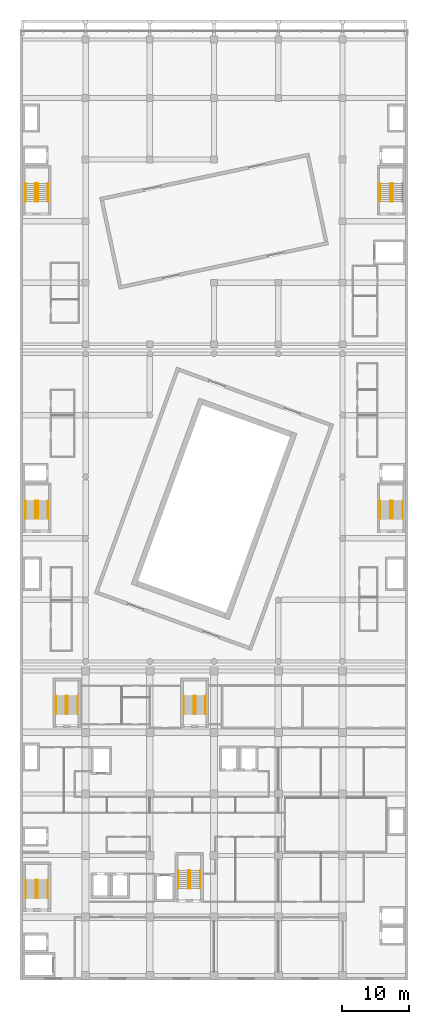
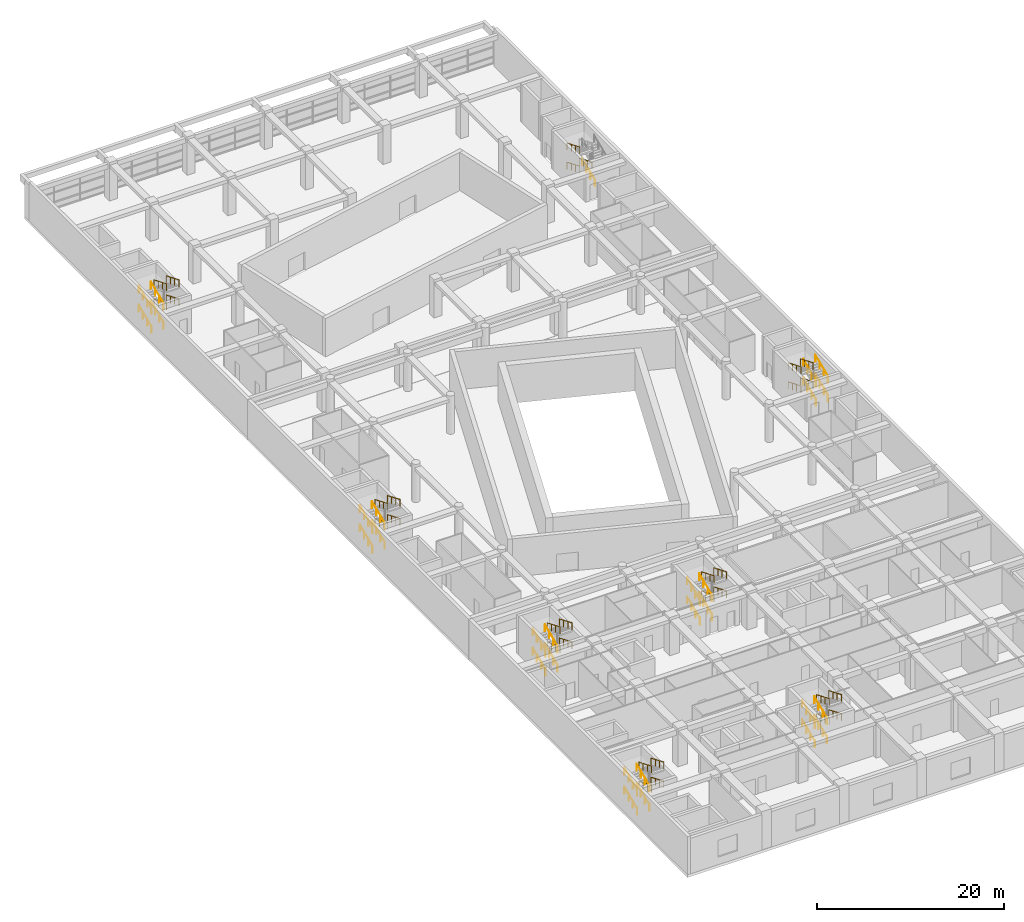
# One storey, part 17 of 31: 60 railings.
"""IFC4 building model written with IfcOpenShell, lengths in metres."""

from ifc_helpers import new_model, si_unit, direction, frame, origin, origin_2d, place, context, subcontext, project, spatial, circle, extrude, material, type_object, element, save


model = new_model("IFC4")

# Units and contexts
model_context = context("Model", 3, precision=1e-05, world=origin(), true_north=direction((0.0, 1.0)))
body_context = subcontext(model_context, "Body", "Model", "MODEL_VIEW")
ifc_project = project(units=[si_unit("LENGTHUNIT", "METRE"), si_unit("AREAUNIT", "SQUARE_METRE"), si_unit("VOLUMEUNIT", "CUBIC_METRE"), si_unit("PLANEANGLEUNIT", "RADIAN"), si_unit("MASSUNIT", "GRAM", prefix="KILO")], contexts=[model_context])

# Site, building, storey
site_placement = place(None, origin())
site = spatial("IfcSite", under=ifc_project, at=site_placement, CompositionType="ELEMENT")
building_placement = place(site_placement, origin())
building = spatial("IfcBuilding", under=site, at=building_placement, Name="Nzadi Deep Aquarium and Research Tower", CompositionType="ELEMENT")
storey_placement = place(building_placement, frame((0.0, 0.0, 21.699951171875)))
storey = spatial("IfcBuildingStorey", under=building, at=storey_placement, Name="L03", CompositionType="ELEMENT", Elevation=21.699951171875)

# Railings
ifc_material = material(Name="Stainless steel 1.4301", Category="steel")
railing_type = type_object("IfcRailingType", Name="HANDRAIL 900", PredefinedType="HANDRAIL", material=ifc_material)
for number, where, name in (
    (1, (0.659912109375, 12.070068359375, 0.125), "HR-ST-Z1-SW-L03-F1"),
    (2, (2.1650390625, 12.070068359375, 0.125), "HR-ST-Z1-SW-L03-F1W"),
):
    element("IfcRailing", number, at=place(storey_placement, frame(where)), inside=storey, type_object=railing_type, Name=name, PredefinedType="HANDRAIL", context=body_context, shape_type="SweptSolid", body=[
        extrude(circle(Radius=0.02392578125, at=origin_2d()), frame((0.0, 0.0, 0.8759765625), z_axis=(0.0, 0.923074453586, 0.384621311341), x_axis=(-1.0, 0.0, 0.0)), (0.0, 0.0, 1.0), 2.925048828125),
        extrude(circle(Radius=0.02099609375, at=origin_2d()), origin(), (0.0, 0.0, 1.0), 0.851806640625),
        extrude(circle(Radius=0.02099609375, at=origin_2d()), frame((0.0, 0.89990234375, 0.375)), (0.0, 0.0, 1.0), 0.851806640625),
        extrude(circle(Radius=0.02099609375, at=origin_2d()), frame((0.0, 1.800048828125, 0.75)), (0.0, 0.0, 1.0), 0.851806640625),
        extrude(circle(Radius=0.02099609375, at=origin_2d()), frame((0.0, 2.699951171875, 1.125)), (0.0, 0.0, 1.0), 0.851806640625),
    ])
for number, where, name in (
    (3, (3.93994140625, 14.77001953125, 1.375), "HR-ST-Z1-SW-L03-F2"),
    (4, (2.43505859375, 14.77001953125, 1.375), "HR-ST-Z1-SW-L03-F2W"),
):
    element("IfcRailing", number, at=place(storey_placement, frame(where)), inside=storey, type_object=railing_type, Name=name, PredefinedType="HANDRAIL", context=body_context, shape_type="SweptSolid", body=[
        extrude(circle(Radius=0.02392578125, at=origin_2d()), frame((0.0, 0.0, 0.8759765625), z_axis=(0.0, -0.923074453586, 0.384621311341), x_axis=(1.0, 0.0, 0.0)), (0.0, 0.0, 1.0), 2.925048828125),
        extrude(circle(Radius=0.02099609375, at=origin_2d()), origin(), (0.0, 0.0, 1.0), 0.851806640625),
        extrude(circle(Radius=0.02099609375, at=origin_2d()), frame((0.0, -0.89990234375, 0.375)), (0.0, 0.0, 1.0), 0.851806640625),
        extrude(circle(Radius=0.02099609375, at=origin_2d()), frame((0.0, -1.800048828125, 0.75)), (0.0, 0.0, 1.0), 0.851806640625),
        extrude(circle(Radius=0.02099609375, at=origin_2d()), frame((0.0, -2.699951171875, 1.125)), (0.0, 0.0, 1.0), 0.851806640625),
    ])
for number, where, name in (
    (5, (0.659912109375, 12.070068359375, 2.625), "HR-ST-Z1-SW-L03-F3"),
    (6, (2.1650390625, 12.070068359375, 2.625), "HR-ST-Z1-SW-L03-F3W"),
):
    element("IfcRailing", number, at=place(storey_placement, frame(where)), inside=storey, type_object=railing_type, Name=name, PredefinedType="HANDRAIL", context=body_context, shape_type="SweptSolid", body=[
        extrude(circle(Radius=0.02392578125, at=origin_2d()), frame((0.0, 0.0, 0.8759765625), z_axis=(0.0, 0.923074453586, 0.384621311341), x_axis=(-1.0, 0.0, 0.0)), (0.0, 0.0, 1.0), 2.925048828125),
        extrude(circle(Radius=0.02099609375, at=origin_2d()), origin(), (0.0, 0.0, 1.0), 0.851806640625),
        extrude(circle(Radius=0.02099609375, at=origin_2d()), frame((0.0, 0.89990234375, 0.375)), (0.0, 0.0, 1.0), 0.851806640625),
        extrude(circle(Radius=0.02099609375, at=origin_2d()), frame((0.0, 1.800048828125, 0.75)), (0.0, 0.0, 1.0), 0.851806640625),
        extrude(circle(Radius=0.02099609375, at=origin_2d()), frame((0.0, 2.699951171875, 1.125)), (0.0, 0.0, 1.0), 0.851806640625),
    ])
for number, where, name in (
    (7, (3.93994140625, 14.77001953125, 3.875), "HR-ST-Z1-SW-L03-F4"),
    (8, (2.43505859375, 14.77001953125, 3.875), "HR-ST-Z1-SW-L03-F4W"),
):
    element("IfcRailing", number, at=place(storey_placement, frame(where)), inside=storey, type_object=railing_type, Name=name, PredefinedType="HANDRAIL", context=body_context, shape_type="SweptSolid", body=[
        extrude(circle(Radius=0.02392578125, at=origin_2d()), frame((0.0, 0.0, 0.8759765625), z_axis=(0.0, -0.923074453586, 0.384621311341), x_axis=(1.0, 0.0, 0.0)), (0.0, 0.0, 1.0), 2.925048828125),
        extrude(circle(Radius=0.02099609375, at=origin_2d()), origin(), (0.0, 0.0, 1.0), 0.851806640625),
        extrude(circle(Radius=0.02099609375, at=origin_2d()), frame((0.0, -0.89990234375, 0.375)), (0.0, 0.0, 1.0), 0.851806640625),
        extrude(circle(Radius=0.02099609375, at=origin_2d()), frame((0.0, -1.800048828125, 0.75)), (0.0, 0.0, 1.0), 0.851806640625),
        extrude(circle(Radius=0.02099609375, at=origin_2d()), frame((0.0, -2.699951171875, 1.125)), (0.0, 0.0, 1.0), 0.851806640625),
    ])
for number, where, name in (
    (9, (23.4599609375, 13.469970703125, 0.125), "HR-ST-Z1-SE-L03-F1"),
    (10, (24.965087890625, 13.469970703125, 0.125), "HR-ST-Z1-SE-L03-F1W"),
):
    element("IfcRailing", number, at=place(storey_placement, frame(where)), inside=storey, type_object=railing_type, Name=name, PredefinedType="HANDRAIL", context=body_context, shape_type="SweptSolid", body=[
        extrude(circle(Radius=0.02392578125, at=origin_2d()), frame((0.0, 0.0, 0.8759765625), z_axis=(0.0, 0.923074453586, 0.384621311341), x_axis=(-1.0, 0.0, 0.0)), (0.0, 0.0, 1.0), 2.925048828125),
        extrude(circle(Radius=0.02099609375, at=origin_2d()), origin(), (0.0, 0.0, 1.0), 0.851806640625),
        extrude(circle(Radius=0.02099609375, at=origin_2d()), frame((0.0, 0.89990234375, 0.375)), (0.0, 0.0, 1.0), 0.851806640625),
        extrude(circle(Radius=0.02099609375, at=origin_2d()), frame((0.0, 1.800048828125, 0.75)), (0.0, 0.0, 1.0), 0.851806640625),
        extrude(circle(Radius=0.02099609375, at=origin_2d()), frame((0.0, 2.699951171875, 1.125)), (0.0, 0.0, 1.0), 0.851806640625),
    ])
for number, where, name in (
    (11, (26.739990234375, 16.169921875, 1.375), "HR-ST-Z1-SE-L03-F2"),
    (12, (25.235107421875, 16.169921875, 1.375), "HR-ST-Z1-SE-L03-F2W"),
):
    element("IfcRailing", number, at=place(storey_placement, frame(where)), inside=storey, type_object=railing_type, Name=name, PredefinedType="HANDRAIL", context=body_context, shape_type="SweptSolid", body=[
        extrude(circle(Radius=0.02392578125, at=origin_2d()), frame((0.0, 0.0, 0.8759765625), z_axis=(0.0, -0.923074453586, 0.384621311341), x_axis=(1.0, 0.0, 0.0)), (0.0, 0.0, 1.0), 2.925048828125),
        extrude(circle(Radius=0.02099609375, at=origin_2d()), origin(), (0.0, 0.0, 1.0), 0.851806640625),
        extrude(circle(Radius=0.02099609375, at=origin_2d()), frame((0.0, -0.89990234375, 0.375)), (0.0, 0.0, 1.0), 0.851806640625),
        extrude(circle(Radius=0.02099609375, at=origin_2d()), frame((0.0, -1.800048828125, 0.75)), (0.0, 0.0, 1.0), 0.851806640625),
        extrude(circle(Radius=0.02099609375, at=origin_2d()), frame((0.0, -2.699951171875, 1.125)), (0.0, 0.0, 1.0), 0.851806640625),
    ])
for number, where, name in (
    (13, (23.4599609375, 13.469970703125, 2.625), "HR-ST-Z1-SE-L03-F3"),
    (14, (24.965087890625, 13.469970703125, 2.625), "HR-ST-Z1-SE-L03-F3W"),
):
    element("IfcRailing", number, at=place(storey_placement, frame(where)), inside=storey, type_object=railing_type, Name=name, PredefinedType="HANDRAIL", context=body_context, shape_type="SweptSolid", body=[
        extrude(circle(Radius=0.02392578125, at=origin_2d()), frame((0.0, 0.0, 0.8759765625), z_axis=(0.0, 0.923074453586, 0.384621311341), x_axis=(-1.0, 0.0, 0.0)), (0.0, 0.0, 1.0), 2.925048828125),
        extrude(circle(Radius=0.02099609375, at=origin_2d()), origin(), (0.0, 0.0, 1.0), 0.851806640625),
        extrude(circle(Radius=0.02099609375, at=origin_2d()), frame((0.0, 0.89990234375, 0.375)), (0.0, 0.0, 1.0), 0.851806640625),
        extrude(circle(Radius=0.02099609375, at=origin_2d()), frame((0.0, 1.800048828125, 0.75)), (0.0, 0.0, 1.0), 0.851806640625),
        extrude(circle(Radius=0.02099609375, at=origin_2d()), frame((0.0, 2.699951171875, 1.125)), (0.0, 0.0, 1.0), 0.851806640625),
    ])
for number, where, name in (
    (15, (26.739990234375, 16.169921875, 3.875), "HR-ST-Z1-SE-L03-F4"),
    (16, (25.235107421875, 16.169921875, 3.875), "HR-ST-Z1-SE-L03-F4W"),
):
    element("IfcRailing", number, at=place(storey_placement, frame(where)), inside=storey, type_object=railing_type, Name=name, PredefinedType="HANDRAIL", context=body_context, shape_type="SweptSolid", body=[
        extrude(circle(Radius=0.02392578125, at=origin_2d()), frame((0.0, 0.0, 0.8759765625), z_axis=(0.0, -0.923074453586, 0.384621311341), x_axis=(1.0, 0.0, 0.0)), (0.0, 0.0, 1.0), 2.925048828125),
        extrude(circle(Radius=0.02099609375, at=origin_2d()), origin(), (0.0, 0.0, 1.0), 0.851806640625),
        extrude(circle(Radius=0.02099609375, at=origin_2d()), frame((0.0, -0.89990234375, 0.375)), (0.0, 0.0, 1.0), 0.851806640625),
        extrude(circle(Radius=0.02099609375, at=origin_2d()), frame((0.0, -1.800048828125, 0.75)), (0.0, 0.0, 1.0), 0.851806640625),
        extrude(circle(Radius=0.02099609375, at=origin_2d()), frame((0.0, -2.699951171875, 1.125)), (0.0, 0.0, 1.0), 0.851806640625),
    ])
for number, where, name in (
    (17, (5.159912109375, 39.52001953125, 0.125), "HR-ST-Z1-NW-L03-F1"),
    (18, (6.6650390625, 39.52001953125, 0.125), "HR-ST-Z1-NW-L03-F1W"),
):
    element("IfcRailing", number, at=place(storey_placement, frame(where)), inside=storey, type_object=railing_type, Name=name, PredefinedType="HANDRAIL", context=body_context, shape_type="SweptSolid", body=[
        extrude(circle(Radius=0.02392578125, at=origin_2d()), frame((0.0, 0.0, 0.8759765625), z_axis=(0.0, 0.923074453586, 0.384621311341), x_axis=(-1.0, 0.0, 0.0)), (0.0, 0.0, 1.0), 2.925048828125),
        extrude(circle(Radius=0.02099609375, at=origin_2d()), origin(), (0.0, 0.0, 1.0), 0.851806640625),
        extrude(circle(Radius=0.02099609375, at=origin_2d()), frame((0.0, 0.89990234375, 0.375)), (0.0, 0.0, 1.0), 0.851806640625),
        extrude(circle(Radius=0.02099609375, at=origin_2d()), frame((0.0, 1.800048828125, 0.75)), (0.0, 0.0, 1.0), 0.851806640625),
        extrude(circle(Radius=0.02099609375, at=origin_2d()), frame((0.0, 2.699951171875, 1.125)), (0.0, 0.0, 1.0), 0.851806640625),
    ])
for number, where, name in (
    (19, (8.43994140625, 42.219970703125, 1.375), "HR-ST-Z1-NW-L03-F2"),
    (20, (6.93505859375, 42.219970703125, 1.375), "HR-ST-Z1-NW-L03-F2W"),
):
    element("IfcRailing", number, at=place(storey_placement, frame(where)), inside=storey, type_object=railing_type, Name=name, PredefinedType="HANDRAIL", context=body_context, shape_type="SweptSolid", body=[
        extrude(circle(Radius=0.02392578125, at=origin_2d()), frame((0.0, 0.0, 0.8759765625), z_axis=(0.0, -0.923074453586, 0.384621311341), x_axis=(1.0, 0.0, 0.0)), (0.0, 0.0, 1.0), 2.925048828125),
        extrude(circle(Radius=0.02099609375, at=origin_2d()), origin(), (0.0, 0.0, 1.0), 0.851806640625),
        extrude(circle(Radius=0.02099609375, at=origin_2d()), frame((0.0, -0.89990234375, 0.375)), (0.0, 0.0, 1.0), 0.851806640625),
        extrude(circle(Radius=0.02099609375, at=origin_2d()), frame((0.0, -1.800048828125, 0.75)), (0.0, 0.0, 1.0), 0.851806640625),
        extrude(circle(Radius=0.02099609375, at=origin_2d()), frame((0.0, -2.699951171875, 1.125)), (0.0, 0.0, 1.0), 0.851806640625),
    ])
for number, where, name in (
    (21, (5.159912109375, 39.52001953125, 2.625), "HR-ST-Z1-NW-L03-F3"),
    (22, (6.6650390625, 39.52001953125, 2.625), "HR-ST-Z1-NW-L03-F3W"),
):
    element("IfcRailing", number, at=place(storey_placement, frame(where)), inside=storey, type_object=railing_type, Name=name, PredefinedType="HANDRAIL", context=body_context, shape_type="SweptSolid", body=[
        extrude(circle(Radius=0.02392578125, at=origin_2d()), frame((0.0, 0.0, 0.8759765625), z_axis=(0.0, 0.923074453586, 0.384621311341), x_axis=(-1.0, 0.0, 0.0)), (0.0, 0.0, 1.0), 2.925048828125),
        extrude(circle(Radius=0.02099609375, at=origin_2d()), origin(), (0.0, 0.0, 1.0), 0.851806640625),
        extrude(circle(Radius=0.02099609375, at=origin_2d()), frame((0.0, 0.89990234375, 0.375)), (0.0, 0.0, 1.0), 0.851806640625),
        extrude(circle(Radius=0.02099609375, at=origin_2d()), frame((0.0, 1.800048828125, 0.75)), (0.0, 0.0, 1.0), 0.851806640625),
        extrude(circle(Radius=0.02099609375, at=origin_2d()), frame((0.0, 2.699951171875, 1.125)), (0.0, 0.0, 1.0), 0.851806640625),
    ])
for number, where, name in (
    (23, (8.43994140625, 42.219970703125, 3.875), "HR-ST-Z1-NW-L03-F4"),
    (24, (6.93505859375, 42.219970703125, 3.875), "HR-ST-Z1-NW-L03-F4W"),
):
    element("IfcRailing", number, at=place(storey_placement, frame(where)), inside=storey, type_object=railing_type, Name=name, PredefinedType="HANDRAIL", context=body_context, shape_type="SweptSolid", body=[
        extrude(circle(Radius=0.02392578125, at=origin_2d()), frame((0.0, 0.0, 0.8759765625), z_axis=(0.0, -0.923074453586, 0.384621311341), x_axis=(1.0, 0.0, 0.0)), (0.0, 0.0, 1.0), 2.925048828125),
        extrude(circle(Radius=0.02099609375, at=origin_2d()), origin(), (0.0, 0.0, 1.0), 0.851806640625),
        extrude(circle(Radius=0.02099609375, at=origin_2d()), frame((0.0, -0.89990234375, 0.375)), (0.0, 0.0, 1.0), 0.851806640625),
        extrude(circle(Radius=0.02099609375, at=origin_2d()), frame((0.0, -1.800048828125, 0.75)), (0.0, 0.0, 1.0), 0.851806640625),
        extrude(circle(Radius=0.02099609375, at=origin_2d()), frame((0.0, -2.699951171875, 1.125)), (0.0, 0.0, 1.0), 0.851806640625),
    ])
for number, where, name in (
    (25, (24.260009765625, 39.52001953125, 0.125), "HR-ST-Z1-NE-L03-F1"),
    (26, (25.764892578125, 39.52001953125, 0.125), "HR-ST-Z1-NE-L03-F1W"),
):
    element("IfcRailing", number, at=place(storey_placement, frame(where)), inside=storey, type_object=railing_type, Name=name, PredefinedType="HANDRAIL", context=body_context, shape_type="SweptSolid", body=[
        extrude(circle(Radius=0.02392578125, at=origin_2d()), frame((0.0, 0.0, 0.8759765625), z_axis=(0.0, 0.923074453586, 0.384621311341), x_axis=(-1.0, 0.0, 0.0)), (0.0, 0.0, 1.0), 2.925048828125),
        extrude(circle(Radius=0.02099609375, at=origin_2d()), origin(), (0.0, 0.0, 1.0), 0.851806640625),
        extrude(circle(Radius=0.02099609375, at=origin_2d()), frame((0.0, 0.89990234375, 0.375)), (0.0, 0.0, 1.0), 0.851806640625),
        extrude(circle(Radius=0.02099609375, at=origin_2d()), frame((0.0, 1.800048828125, 0.75)), (0.0, 0.0, 1.0), 0.851806640625),
        extrude(circle(Radius=0.02099609375, at=origin_2d()), frame((0.0, 2.699951171875, 1.125)), (0.0, 0.0, 1.0), 0.851806640625),
    ])
for number, where, name in (
    (27, (27.5400390625, 42.219970703125, 1.375), "HR-ST-Z1-NE-L03-F2"),
    (28, (26.034912109375, 42.219970703125, 1.375), "HR-ST-Z1-NE-L03-F2W"),
):
    element("IfcRailing", number, at=place(storey_placement, frame(where)), inside=storey, type_object=railing_type, Name=name, PredefinedType="HANDRAIL", context=body_context, shape_type="SweptSolid", body=[
        extrude(circle(Radius=0.02392578125, at=origin_2d()), frame((0.0, 0.0, 0.8759765625), z_axis=(0.0, -0.923074453586, 0.384621311341), x_axis=(1.0, 0.0, 0.0)), (0.0, 0.0, 1.0), 2.925048828125),
        extrude(circle(Radius=0.02099609375, at=origin_2d()), origin(), (0.0, 0.0, 1.0), 0.851806640625),
        extrude(circle(Radius=0.02099609375, at=origin_2d()), frame((0.0, -0.89990234375, 0.375)), (0.0, 0.0, 1.0), 0.851806640625),
        extrude(circle(Radius=0.02099609375, at=origin_2d()), frame((0.0, -1.800048828125, 0.75)), (0.0, 0.0, 1.0), 0.851806640625),
        extrude(circle(Radius=0.02099609375, at=origin_2d()), frame((0.0, -2.699951171875, 1.125)), (0.0, 0.0, 1.0), 0.851806640625),
    ])
for number, where, name in (
    (29, (24.260009765625, 39.52001953125, 2.625), "HR-ST-Z1-NE-L03-F3"),
    (30, (25.764892578125, 39.52001953125, 2.625), "HR-ST-Z1-NE-L03-F3W"),
):
    element("IfcRailing", number, at=place(storey_placement, frame(where)), inside=storey, type_object=railing_type, Name=name, PredefinedType="HANDRAIL", context=body_context, shape_type="SweptSolid", body=[
        extrude(circle(Radius=0.02392578125, at=origin_2d()), frame((0.0, 0.0, 0.8759765625), z_axis=(0.0, 0.923074453586, 0.384621311341), x_axis=(-1.0, 0.0, 0.0)), (0.0, 0.0, 1.0), 2.925048828125),
        extrude(circle(Radius=0.02099609375, at=origin_2d()), origin(), (0.0, 0.0, 1.0), 0.851806640625),
        extrude(circle(Radius=0.02099609375, at=origin_2d()), frame((0.0, 0.89990234375, 0.375)), (0.0, 0.0, 1.0), 0.851806640625),
        extrude(circle(Radius=0.02099609375, at=origin_2d()), frame((0.0, 1.800048828125, 0.75)), (0.0, 0.0, 1.0), 0.851806640625),
        extrude(circle(Radius=0.02099609375, at=origin_2d()), frame((0.0, 2.699951171875, 1.125)), (0.0, 0.0, 1.0), 0.851806640625),
    ])
for number, where, name in (
    (31, (27.5400390625, 42.219970703125, 3.875), "HR-ST-Z1-NE-L03-F4"),
    (32, (26.034912109375, 42.219970703125, 3.875), "HR-ST-Z1-NE-L03-F4W"),
):
    element("IfcRailing", number, at=place(storey_placement, frame(where)), inside=storey, type_object=railing_type, Name=name, PredefinedType="HANDRAIL", context=body_context, shape_type="SweptSolid", body=[
        extrude(circle(Radius=0.02392578125, at=origin_2d()), frame((0.0, 0.0, 0.8759765625), z_axis=(0.0, -0.923074453586, 0.384621311341), x_axis=(1.0, 0.0, 0.0)), (0.0, 0.0, 1.0), 2.925048828125),
        extrude(circle(Radius=0.02099609375, at=origin_2d()), origin(), (0.0, 0.0, 1.0), 0.851806640625),
        extrude(circle(Radius=0.02099609375, at=origin_2d()), frame((0.0, -0.89990234375, 0.375)), (0.0, 0.0, 1.0), 0.851806640625),
        extrude(circle(Radius=0.02099609375, at=origin_2d()), frame((0.0, -1.800048828125, 0.75)), (0.0, 0.0, 1.0), 0.851806640625),
        extrude(circle(Radius=0.02099609375, at=origin_2d()), frame((0.0, -2.699951171875, 1.125)), (0.0, 0.0, 1.0), 0.851806640625),
    ])
for number, where, name in (
    (33, (0.610107421875, 68.7099609375, 0.125), "HR-ST-Z2-W-L03-F1"),
    (34, (2.114990234375, 68.7099609375, 0.125), "HR-ST-Z2-W-L03-F1W"),
):
    element("IfcRailing", number, at=place(storey_placement, frame(where)), inside=storey, type_object=railing_type, Name=name, PredefinedType="HANDRAIL", context=body_context, shape_type="SweptSolid", body=[
        extrude(circle(Radius=0.02392578125, at=origin_2d()), frame((0.0, 0.0, 0.8759765625), z_axis=(0.0, 0.923074453586, 0.384621311341), x_axis=(-1.0, 0.0, 0.0)), (0.0, 0.0, 1.0), 2.925048828125),
        extrude(circle(Radius=0.02099609375, at=origin_2d()), origin(), (0.0, 0.0, 1.0), 0.851806640625),
        extrude(circle(Radius=0.02099609375, at=origin_2d()), frame((0.0, 0.89990234375, 0.375)), (0.0, 0.0, 1.0), 0.851806640625),
        extrude(circle(Radius=0.02099609375, at=origin_2d()), frame((0.0, 1.800048828125, 0.75)), (0.0, 0.0, 1.0), 0.851806640625),
        extrude(circle(Radius=0.02099609375, at=origin_2d()), frame((0.0, 2.699951171875, 1.125)), (0.0, 0.0, 1.0), 0.851806640625),
    ])
for number, where, name in (
    (35, (3.989990234375, 71.409912109375, 1.375), "HR-ST-Z2-W-L03-F2"),
    (36, (2.485107421875, 71.409912109375, 1.375), "HR-ST-Z2-W-L03-F2W"),
):
    element("IfcRailing", number, at=place(storey_placement, frame(where)), inside=storey, type_object=railing_type, Name=name, PredefinedType="HANDRAIL", context=body_context, shape_type="SweptSolid", body=[
        extrude(circle(Radius=0.02392578125, at=origin_2d()), frame((0.0, 0.0, 0.8759765625), z_axis=(0.0, -0.923074453586, 0.384621311341), x_axis=(1.0, 0.0, 0.0)), (0.0, 0.0, 1.0), 2.925048828125),
        extrude(circle(Radius=0.02099609375, at=origin_2d()), origin(), (0.0, 0.0, 1.0), 0.851806640625),
        extrude(circle(Radius=0.02099609375, at=origin_2d()), frame((0.0, -0.89990234375, 0.375)), (0.0, 0.0, 1.0), 0.851806640625),
        extrude(circle(Radius=0.02099609375, at=origin_2d()), frame((0.0, -1.800048828125, 0.75)), (0.0, 0.0, 1.0), 0.851806640625),
        extrude(circle(Radius=0.02099609375, at=origin_2d()), frame((0.0, -2.699951171875, 1.125)), (0.0, 0.0, 1.0), 0.851806640625),
    ])
for number, where, name in (
    (37, (0.610107421875, 68.7099609375, 2.625), "HR-ST-Z2-W-L03-F3"),
    (38, (2.114990234375, 68.7099609375, 2.625), "HR-ST-Z2-W-L03-F3W"),
):
    element("IfcRailing", number, at=place(storey_placement, frame(where)), inside=storey, type_object=railing_type, Name=name, PredefinedType="HANDRAIL", context=body_context, shape_type="SweptSolid", body=[
        extrude(circle(Radius=0.02392578125, at=origin_2d()), frame((0.0, 0.0, 0.8759765625), z_axis=(0.0, 0.923074453586, 0.384621311341), x_axis=(-1.0, 0.0, 0.0)), (0.0, 0.0, 1.0), 2.925048828125),
        extrude(circle(Radius=0.02099609375, at=origin_2d()), origin(), (0.0, 0.0, 1.0), 0.851806640625),
        extrude(circle(Radius=0.02099609375, at=origin_2d()), frame((0.0, 0.89990234375, 0.375)), (0.0, 0.0, 1.0), 0.851806640625),
        extrude(circle(Radius=0.02099609375, at=origin_2d()), frame((0.0, 1.800048828125, 0.75)), (0.0, 0.0, 1.0), 0.851806640625),
        extrude(circle(Radius=0.02099609375, at=origin_2d()), frame((0.0, 2.699951171875, 1.125)), (0.0, 0.0, 1.0), 0.851806640625),
    ])
for number, where, name in (
    (39, (3.989990234375, 71.409912109375, 3.875), "HR-ST-Z2-W-L03-F4"),
    (40, (2.485107421875, 71.409912109375, 3.875), "HR-ST-Z2-W-L03-F4W"),
):
    element("IfcRailing", number, at=place(storey_placement, frame(where)), inside=storey, type_object=railing_type, Name=name, PredefinedType="HANDRAIL", context=body_context, shape_type="SweptSolid", body=[
        extrude(circle(Radius=0.02392578125, at=origin_2d()), frame((0.0, 0.0, 0.8759765625), z_axis=(0.0, -0.923074453586, 0.384621311341), x_axis=(1.0, 0.0, 0.0)), (0.0, 0.0, 1.0), 2.925048828125),
        extrude(circle(Radius=0.02099609375, at=origin_2d()), origin(), (0.0, 0.0, 1.0), 0.851806640625),
        extrude(circle(Radius=0.02099609375, at=origin_2d()), frame((0.0, -0.89990234375, 0.375)), (0.0, 0.0, 1.0), 0.851806640625),
        extrude(circle(Radius=0.02099609375, at=origin_2d()), frame((0.0, -1.800048828125, 0.75)), (0.0, 0.0, 1.0), 0.851806640625),
        extrude(circle(Radius=0.02099609375, at=origin_2d()), frame((0.0, -2.699951171875, 1.125)), (0.0, 0.0, 1.0), 0.851806640625),
    ])
for number, where, name in (
    (41, (56.989990234375, 68.7099609375, 0.125), "HR-ST-Z2-E-L03-F1"),
    (42, (55.485107421875, 68.7099609375, 0.125), "HR-ST-Z2-E-L03-F1W"),
):
    element("IfcRailing", number, at=place(storey_placement, frame(where)), inside=storey, type_object=railing_type, Name=name, PredefinedType="HANDRAIL", context=body_context, shape_type="SweptSolid", body=[
        extrude(circle(Radius=0.02392578125, at=origin_2d()), frame((0.0, 0.0, 0.8759765625), z_axis=(0.0, 0.923074453586, 0.384621311341), x_axis=(-1.0, 0.0, 0.0)), (0.0, 0.0, 1.0), 2.925048828125),
        extrude(circle(Radius=0.02099609375, at=origin_2d()), origin(), (0.0, 0.0, 1.0), 0.851806640625),
        extrude(circle(Radius=0.02099609375, at=origin_2d()), frame((0.0, 0.89990234375, 0.375)), (0.0, 0.0, 1.0), 0.851806640625),
        extrude(circle(Radius=0.02099609375, at=origin_2d()), frame((0.0, 1.800048828125, 0.75)), (0.0, 0.0, 1.0), 0.851806640625),
        extrude(circle(Radius=0.02099609375, at=origin_2d()), frame((0.0, 2.699951171875, 1.125)), (0.0, 0.0, 1.0), 0.851806640625),
    ])
for number, where, name in (
    (43, (53.610107421875, 71.409912109375, 1.375), "HR-ST-Z2-E-L03-F2"),
    (44, (55.114990234375, 71.409912109375, 1.375), "HR-ST-Z2-E-L03-F2W"),
):
    element("IfcRailing", number, at=place(storey_placement, frame(where)), inside=storey, type_object=railing_type, Name=name, PredefinedType="HANDRAIL", context=body_context, shape_type="SweptSolid", body=[
        extrude(circle(Radius=0.02392578125, at=origin_2d()), frame((0.0, 0.0, 0.8759765625), z_axis=(0.0, -0.923074453586, 0.384621311341), x_axis=(1.0, 0.0, 0.0)), (0.0, 0.0, 1.0), 2.925048828125),
        extrude(circle(Radius=0.02099609375, at=origin_2d()), origin(), (0.0, 0.0, 1.0), 0.851806640625),
        extrude(circle(Radius=0.02099609375, at=origin_2d()), frame((0.0, -0.89990234375, 0.375)), (0.0, 0.0, 1.0), 0.851806640625),
        extrude(circle(Radius=0.02099609375, at=origin_2d()), frame((0.0, -1.800048828125, 0.75)), (0.0, 0.0, 1.0), 0.851806640625),
        extrude(circle(Radius=0.02099609375, at=origin_2d()), frame((0.0, -2.699951171875, 1.125)), (0.0, 0.0, 1.0), 0.851806640625),
    ])
for number, where, name in (
    (45, (56.989990234375, 68.7099609375, 2.625), "HR-ST-Z2-E-L03-F3"),
    (46, (55.485107421875, 68.7099609375, 2.625), "HR-ST-Z2-E-L03-F3W"),
):
    element("IfcRailing", number, at=place(storey_placement, frame(where)), inside=storey, type_object=railing_type, Name=name, PredefinedType="HANDRAIL", context=body_context, shape_type="SweptSolid", body=[
        extrude(circle(Radius=0.02392578125, at=origin_2d()), frame((0.0, 0.0, 0.8759765625), z_axis=(0.0, 0.923074453586, 0.384621311341), x_axis=(-1.0, 0.0, 0.0)), (0.0, 0.0, 1.0), 2.925048828125),
        extrude(circle(Radius=0.02099609375, at=origin_2d()), origin(), (0.0, 0.0, 1.0), 0.851806640625),
        extrude(circle(Radius=0.02099609375, at=origin_2d()), frame((0.0, 0.89990234375, 0.375)), (0.0, 0.0, 1.0), 0.851806640625),
        extrude(circle(Radius=0.02099609375, at=origin_2d()), frame((0.0, 1.800048828125, 0.75)), (0.0, 0.0, 1.0), 0.851806640625),
        extrude(circle(Radius=0.02099609375, at=origin_2d()), frame((0.0, 2.699951171875, 1.125)), (0.0, 0.0, 1.0), 0.851806640625),
    ])
for number, where, name in (
    (47, (53.610107421875, 71.409912109375, 3.875), "HR-ST-Z2-E-L03-F4"),
    (48, (55.114990234375, 71.409912109375, 3.875), "HR-ST-Z2-E-L03-F4W"),
):
    element("IfcRailing", number, at=place(storey_placement, frame(where)), inside=storey, type_object=railing_type, Name=name, PredefinedType="HANDRAIL", context=body_context, shape_type="SweptSolid", body=[
        extrude(circle(Radius=0.02392578125, at=origin_2d()), frame((0.0, 0.0, 0.8759765625), z_axis=(0.0, -0.923074453586, 0.384621311341), x_axis=(1.0, 0.0, 0.0)), (0.0, 0.0, 1.0), 2.925048828125),
        extrude(circle(Radius=0.02099609375, at=origin_2d()), origin(), (0.0, 0.0, 1.0), 0.851806640625),
        extrude(circle(Radius=0.02099609375, at=origin_2d()), frame((0.0, -0.89990234375, 0.375)), (0.0, 0.0, 1.0), 0.851806640625),
        extrude(circle(Radius=0.02099609375, at=origin_2d()), frame((0.0, -1.800048828125, 0.75)), (0.0, 0.0, 1.0), 0.851806640625),
        extrude(circle(Radius=0.02099609375, at=origin_2d()), frame((0.0, -2.699951171875, 1.125)), (0.0, 0.0, 1.0), 0.851806640625),
    ])
for number, where, name in (
    (49, (0.610107421875, 116.110107421875, 0.125), "HR-ST-Z3-W-L03-F1"),
    (50, (2.114990234375, 116.110107421875, 0.125), "HR-ST-Z3-W-L03-F1W"),
):
    element("IfcRailing", number, at=place(storey_placement, frame(where)), inside=storey, type_object=railing_type, Name=name, PredefinedType="HANDRAIL", context=body_context, shape_type="SweptSolid", body=[
        extrude(circle(Radius=0.02392578125, at=origin_2d()), frame((0.0, 0.0, 0.8759765625), z_axis=(0.0, 0.923074453586, 0.384621311341), x_axis=(-1.0, 0.0, 0.0)), (0.0, 0.0, 1.0), 2.925048828125),
        extrude(circle(Radius=0.02099609375, at=origin_2d()), origin(), (0.0, 0.0, 1.0), 0.851806640625),
        extrude(circle(Radius=0.02099609375, at=origin_2d()), frame((0.0, 0.89990234375, 0.375)), (0.0, 0.0, 1.0), 0.851806640625),
        extrude(circle(Radius=0.02099609375, at=origin_2d()), frame((0.0, 1.800048828125, 0.75)), (0.0, 0.0, 1.0), 0.851806640625),
        extrude(circle(Radius=0.02099609375, at=origin_2d()), frame((0.0, 2.699951171875, 1.125)), (0.0, 0.0, 1.0), 0.851806640625),
    ])
for number, where, name in (
    (51, (3.989990234375, 118.81005859375, 1.375), "HR-ST-Z3-W-L03-F2"),
    (52, (2.485107421875, 118.81005859375, 1.375), "HR-ST-Z3-W-L03-F2W"),
):
    element("IfcRailing", number, at=place(storey_placement, frame(where)), inside=storey, type_object=railing_type, Name=name, PredefinedType="HANDRAIL", context=body_context, shape_type="SweptSolid", body=[
        extrude(circle(Radius=0.02392578125, at=origin_2d()), frame((0.0, 0.0, 0.8759765625), z_axis=(0.0, -0.923074453586, 0.384621311341), x_axis=(1.0, 0.0, 0.0)), (0.0, 0.0, 1.0), 2.925048828125),
        extrude(circle(Radius=0.02099609375, at=origin_2d()), origin(), (0.0, 0.0, 1.0), 0.851806640625),
        extrude(circle(Radius=0.02099609375, at=origin_2d()), frame((0.0, -0.89990234375, 0.375)), (0.0, 0.0, 1.0), 0.851806640625),
        extrude(circle(Radius=0.02099609375, at=origin_2d()), frame((0.0, -1.800048828125, 0.75)), (0.0, 0.0, 1.0), 0.851806640625),
        extrude(circle(Radius=0.02099609375, at=origin_2d()), frame((0.0, -2.699951171875, 1.125)), (0.0, 0.0, 1.0), 0.851806640625),
    ])
for number, where, name in (
    (53, (0.610107421875, 116.110107421875, 2.625), "HR-ST-Z3-W-L03-F3"),
    (54, (2.114990234375, 116.110107421875, 2.625), "HR-ST-Z3-W-L03-F3W"),
):
    element("IfcRailing", number, at=place(storey_placement, frame(where)), inside=storey, type_object=railing_type, Name=name, PredefinedType="HANDRAIL", context=body_context, shape_type="SweptSolid", body=[
        extrude(circle(Radius=0.02392578125, at=origin_2d()), frame((0.0, 0.0, 0.8759765625), z_axis=(0.0, 0.923074453586, 0.384621311341), x_axis=(-1.0, 0.0, 0.0)), (0.0, 0.0, 1.0), 2.925048828125),
        extrude(circle(Radius=0.02099609375, at=origin_2d()), origin(), (0.0, 0.0, 1.0), 0.851806640625),
        extrude(circle(Radius=0.02099609375, at=origin_2d()), frame((0.0, 0.89990234375, 0.375)), (0.0, 0.0, 1.0), 0.851806640625),
        extrude(circle(Radius=0.02099609375, at=origin_2d()), frame((0.0, 1.800048828125, 0.75)), (0.0, 0.0, 1.0), 0.851806640625),
        extrude(circle(Radius=0.02099609375, at=origin_2d()), frame((0.0, 2.699951171875, 1.125)), (0.0, 0.0, 1.0), 0.851806640625),
    ])
for number, where, name in (
    (55, (3.989990234375, 118.81005859375, 3.875), "HR-ST-Z3-W-L03-F4"),
    (56, (2.485107421875, 118.81005859375, 3.875), "HR-ST-Z3-W-L03-F4W"),
):
    element("IfcRailing", number, at=place(storey_placement, frame(where)), inside=storey, type_object=railing_type, Name=name, PredefinedType="HANDRAIL", context=body_context, shape_type="SweptSolid", body=[
        extrude(circle(Radius=0.02392578125, at=origin_2d()), frame((0.0, 0.0, 0.8759765625), z_axis=(0.0, -0.923074453586, 0.384621311341), x_axis=(1.0, 0.0, 0.0)), (0.0, 0.0, 1.0), 2.925048828125),
        extrude(circle(Radius=0.02099609375, at=origin_2d()), origin(), (0.0, 0.0, 1.0), 0.851806640625),
        extrude(circle(Radius=0.02099609375, at=origin_2d()), frame((0.0, -0.89990234375, 0.375)), (0.0, 0.0, 1.0), 0.851806640625),
        extrude(circle(Radius=0.02099609375, at=origin_2d()), frame((0.0, -1.800048828125, 0.75)), (0.0, 0.0, 1.0), 0.851806640625),
        extrude(circle(Radius=0.02099609375, at=origin_2d()), frame((0.0, -2.699951171875, 1.125)), (0.0, 0.0, 1.0), 0.851806640625),
    ])
railing_placement = place(storey_placement, frame((55.485107421875, 116.110107421875, 0.125)))
element("IfcRailing", 57, at=railing_placement, inside=storey, type_object=railing_type, Name="HR-ST-Z3-E-L03-F1W", PredefinedType="HANDRAIL", context=body_context, shape_type="SweptSolid", body=[
    extrude(circle(Radius=0.02392578125, at=origin_2d()), frame((0.0, 0.0, 0.8759765625), z_axis=(0.0, 0.923074453586, 0.384621311341), x_axis=(-1.0, 0.0, 0.0)), (0.0, 0.0, 1.0), 2.925048828125),
    extrude(circle(Radius=0.02099609375, at=origin_2d()), origin(), (0.0, 0.0, 1.0), 0.851806640625),
    extrude(circle(Radius=0.02099609375, at=origin_2d()), frame((0.0, 0.89990234375, 0.375)), (0.0, 0.0, 1.0), 0.851806640625),
    extrude(circle(Radius=0.02099609375, at=origin_2d()), frame((0.0, 1.800048828125, 0.75)), (0.0, 0.0, 1.0), 0.851806640625),
    extrude(circle(Radius=0.02099609375, at=origin_2d()), frame((0.0, 2.699951171875, 1.125)), (0.0, 0.0, 1.0), 0.851806640625),
])
for number, where, name in (
    (58, (53.610107421875, 118.81005859375, 1.375), "HR-ST-Z3-E-L03-F2"),
    (59, (55.114990234375, 118.81005859375, 1.375), "HR-ST-Z3-E-L03-F2W"),
    (60, (53.610107421875, 118.81005859375, 3.875), "HR-ST-Z3-E-L03-F4"),
):
    element("IfcRailing", number, at=place(storey_placement, frame(where)), inside=storey, type_object=railing_type, Name=name, PredefinedType="HANDRAIL", context=body_context, shape_type="SweptSolid", body=[
        extrude(circle(Radius=0.02392578125, at=origin_2d()), frame((0.0, 0.0, 0.8759765625), z_axis=(0.0, -0.923074453586, 0.384621311341), x_axis=(1.0, 0.0, 0.0)), (0.0, 0.0, 1.0), 2.925048828125),
        extrude(circle(Radius=0.02099609375, at=origin_2d()), origin(), (0.0, 0.0, 1.0), 0.851806640625),
        extrude(circle(Radius=0.02099609375, at=origin_2d()), frame((0.0, -0.89990234375, 0.375)), (0.0, 0.0, 1.0), 0.851806640625),
        extrude(circle(Radius=0.02099609375, at=origin_2d()), frame((0.0, -1.800048828125, 0.75)), (0.0, 0.0, 1.0), 0.851806640625),
        extrude(circle(Radius=0.02099609375, at=origin_2d()), frame((0.0, -2.699951171875, 1.125)), (0.0, 0.0, 1.0), 0.851806640625),
    ])

save(model, "model.ifc")
